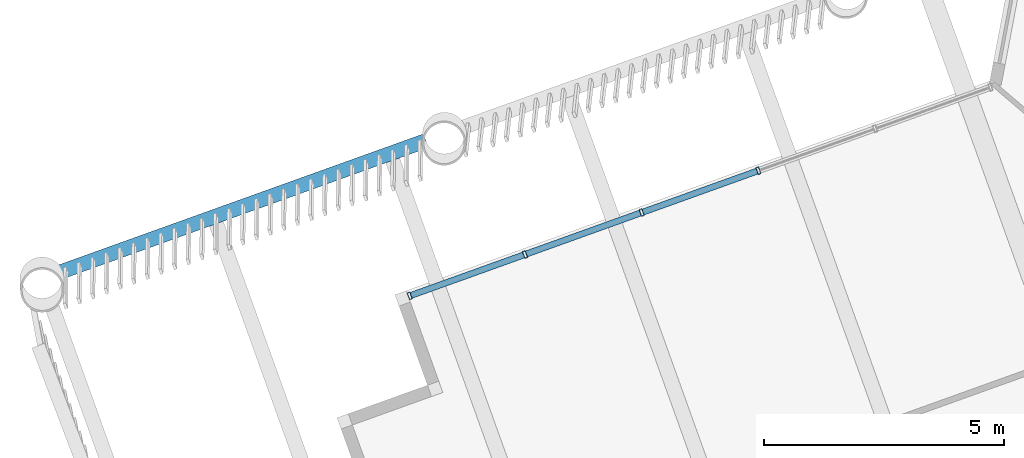
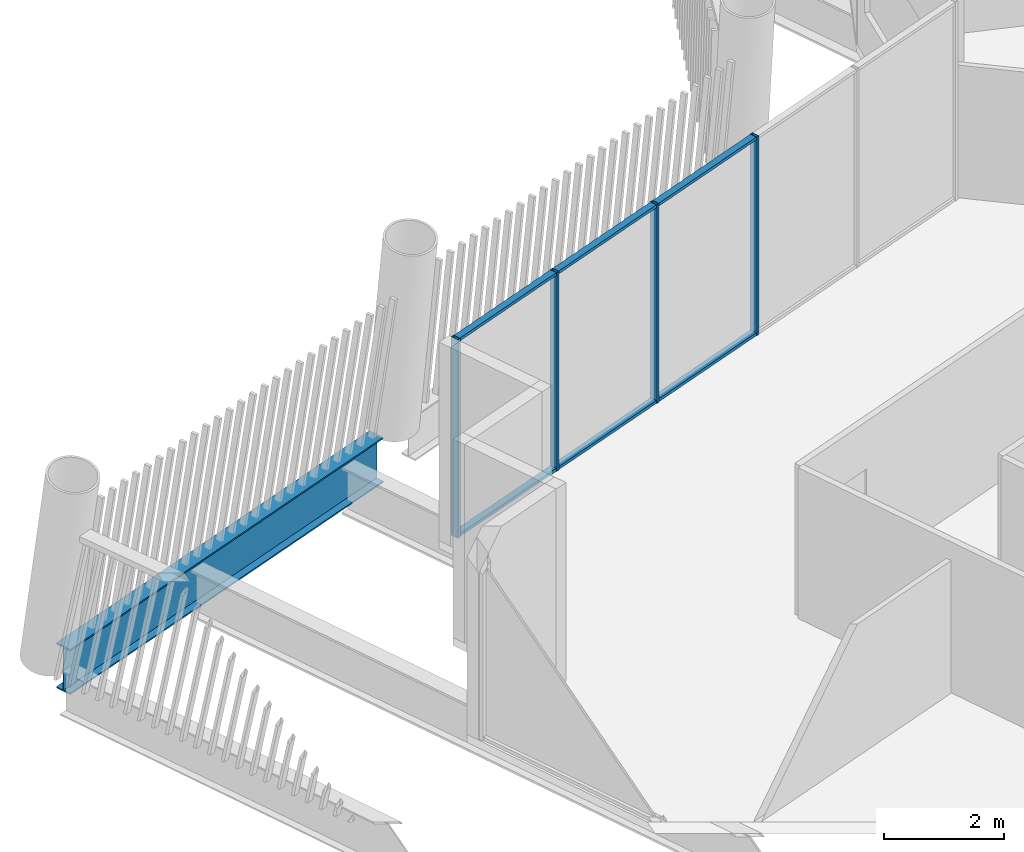
# One storey, part 10 of 28: 10 members, 1 beam, 1 element without a shape of its own.
"""IFC4 building model written with IfcOpenShell, lengths in metres."""

from ifc_helpers import new_model, si_unit, direction, frame, origin, origin_2d, place, context, subcontext, project, spatial, hollow_rectangle, i_section, extrude, material, layer, layer_set, material_profile, profile_set, type_object, element, aggregate, save


model = new_model("IFC4")

# Units and contexts
model_context = context("Model", 3, precision=1e-05, world=origin(), true_north=direction((0.0, 1.0)))
body_context = subcontext(model_context, "Body", "Model", "MODEL_VIEW")
ifc_project = project(units=[si_unit("LENGTHUNIT", "METRE"), si_unit("AREAUNIT", "SQUARE_METRE"), si_unit("VOLUMEUNIT", "CUBIC_METRE"), si_unit("PLANEANGLEUNIT", "RADIAN"), si_unit("MASSUNIT", "GRAM", prefix="KILO")], contexts=[model_context])

# Site, building, storey
site_placement = place(None, origin())
site = spatial("IfcSite", under=ifc_project, at=site_placement, CompositionType="ELEMENT")
building_placement = place(site_placement, origin())
building = spatial("IfcBuilding", under=site, at=building_placement, Name="Tarsis Ring Headquarters", CompositionType="ELEMENT")
storey_placement = place(building_placement, frame((0.0, 0.0, 365.0)))
storey = spatial("IfcBuildingStorey", under=building, at=storey_placement, Name="L86", CompositionType="ELEMENT", Elevation=365.0)

# Curtain wall, members
ifc_material_1 = material(Name="Aluminium curtain wall", Category="aluminium")
ifc_layer = layer(ifc_material_1, 0.14990234375)
ifc_layer_set = layer_set([ifc_layer], Name="Curtain wall tower unit")
curtain_wall_type = type_object("IfcCurtainWallType", Name="Curtain wall tower unit", PredefinedType="NOTDEFINED", material=ifc_layer_set)
curtain_wall_placement = place(storey_placement, origin())
curtain_wall = element("IfcCurtainWall", 1, at=curtain_wall_placement, inside=storey, type_object=curtain_wall_type, Name="Curtain wall L86-31", PredefinedType="NOTDEFINED")
ifc_material_2 = material(Name="Aluminium mullion", Category="aluminium")
ifc_material_profile_1 = material_profile(ifc_material_2, hollow_rectangle(XDim=0.14990234375, YDim=0.06005859375, WallThickness=0.0048828125, at=origin_2d()), Name="RHS 150x60x5")
ifc_profile_set_1 = profile_set([ifc_material_profile_1], Name="Aluminium mullion")
member_type_1 = type_object("IfcMemberType", Name="Curtain wall mullion tower unit RHS 150x60x5", PredefinedType="MULLION", material=ifc_profile_set_1)
member_1_placement = place(storey_placement, frame((-30.374755859375, 1.706298828125, 0.0), z_axis=(0.0, 0.0, 1.0), x_axis=(0.338080946421, -0.941117035053, 0.0)))
member_1 = element("IfcMember", 2, at=member_1_placement, type_object=member_type_1, Name="CW-T mullion 3", PredefinedType="MULLION", context=body_context, shape_type="SweptSolid", body=[
    extrude(hollow_rectangle(XDim=0.14990234375, YDim=0.06005859375, WallThickness=0.0048828125, at=origin_2d()), origin(), (0.0, 0.0, 1.0), 4.0400390625),
])
member_2_placement = place(storey_placement, frame((-32.802978515625, 0.833984375, 0.0), z_axis=(0.0, 0.0, 1.0), x_axis=(0.338080946421, -0.941117035053, 0.0)))
member_2 = element("IfcMember", 3, at=member_2_placement, type_object=member_type_1, Name="CW-T mullion 4", PredefinedType="MULLION", context=body_context, shape_type="SweptSolid", body=[
    extrude(hollow_rectangle(XDim=0.14990234375, YDim=0.06005859375, WallThickness=0.0048828125, at=origin_2d()), origin(), (0.0, 0.0, 1.0), 4.0400390625),
])
member_3_placement = place(storey_placement, frame((-35.231201171875, -0.038330078125, 0.0), z_axis=(0.0, 0.0, 1.0), x_axis=(0.338080946421, -0.941117035053, 0.0)))
member_3 = element("IfcMember", 4, at=member_3_placement, type_object=member_type_1, Name="CW-T mullion 5", PredefinedType="MULLION", context=body_context, shape_type="SweptSolid", body=[
    extrude(hollow_rectangle(XDim=0.14990234375, YDim=0.06005859375, WallThickness=0.0048828125, at=origin_2d()), origin(), (0.0, 0.0, 1.0), 4.0400390625),
])
member_4_placement = place(storey_placement, frame((-37.63134765625, -0.900390625, 0.0), z_axis=(0.0, 0.0, 1.0), x_axis=(0.338080946421, -0.941117035053, 0.0)))
member_4 = element("IfcMember", 5, at=member_4_placement, type_object=member_type_1, Name="CW-T mullion 6", PredefinedType="MULLION", context=body_context, shape_type="SweptSolid", body=[
    extrude(hollow_rectangle(XDim=0.14990234375, YDim=0.06005859375, WallThickness=0.0048828125, at=origin_2d()), origin(), (0.0, 0.0, 1.0), 4.0400390625),
])
ifc_material_3 = material(Name="Aluminium transom", Category="aluminium")
ifc_material_profile_2 = material_profile(ifc_material_3, hollow_rectangle(XDim=0.1298828125, YDim=0.06005859375, WallThickness=0.0048828125, at=origin_2d()), Name="RHS 130x60x5")
ifc_profile_set_2 = profile_set([ifc_material_profile_2], Name="Aluminium transom")
member_type_2 = type_object("IfcMemberType", Name="Curtain wall transom tower unit RHS 130x60x5", PredefinedType="USERDEFINED", material=ifc_profile_set_2)
member_5_placement = place(storey_placement, frame((-30.40283203125, 1.6962890625, 0.030029296875), z_axis=(-0.94111565762, -0.338084780761, 0.0), x_axis=(0.338084780761, -0.94111565762, 0.0)))
member_5 = element("IfcMember", 6, at=member_5_placement, type_object=member_type_2, Name="CW-T transom 3.1", ObjectType="TRANSOM", PredefinedType="USERDEFINED", context=body_context, shape_type="SweptSolid", body=[
    extrude(hollow_rectangle(XDim=0.1298828125, YDim=0.06005859375, WallThickness=0.0048828125, at=origin_2d()), origin(), (0.0, 0.0, 1.0), 2.520263671875),
])
member_6_placement = place(storey_placement, frame((-30.40283203125, 1.6962890625, 4.010009765625), z_axis=(-0.94111565762, -0.338084780761, 0.0), x_axis=(0.338084780761, -0.94111565762, 0.0)))
member_6 = element("IfcMember", 7, at=member_6_placement, type_object=member_type_2, Name="CW-T transom 3.2", ObjectType="TRANSOM", PredefinedType="USERDEFINED", context=body_context, shape_type="SweptSolid", body=[
    extrude(hollow_rectangle(XDim=0.1298828125, YDim=0.06005859375, WallThickness=0.0048828125, at=origin_2d()), origin(), (0.0, 0.0, 1.0), 2.520263671875),
])
member_7_placement = place(storey_placement, frame((-32.831298828125, 0.823974609375, 0.030029296875), z_axis=(-0.94111565762, -0.338084780761, 0.0), x_axis=(0.338084780761, -0.94111565762, 0.0)))
member_7 = element("IfcMember", 8, at=member_7_placement, type_object=member_type_2, Name="CW-T transom 4.1", ObjectType="TRANSOM", PredefinedType="USERDEFINED", context=body_context, shape_type="SweptSolid", body=[
    extrude(hollow_rectangle(XDim=0.1298828125, YDim=0.06005859375, WallThickness=0.0048828125, at=origin_2d()), origin(), (0.0, 0.0, 1.0), 2.520263671875),
])
member_8_placement = place(storey_placement, frame((-32.831298828125, 0.823974609375, 4.010009765625), z_axis=(-0.94111565762, -0.338084780761, 0.0), x_axis=(0.338084780761, -0.94111565762, 0.0)))
member_8 = element("IfcMember", 9, at=member_8_placement, type_object=member_type_2, Name="CW-T transom 4.2", ObjectType="TRANSOM", PredefinedType="USERDEFINED", context=body_context, shape_type="SweptSolid", body=[
    extrude(hollow_rectangle(XDim=0.1298828125, YDim=0.06005859375, WallThickness=0.0048828125, at=origin_2d()), origin(), (0.0, 0.0, 1.0), 2.520263671875),
])
member_9_placement = place(storey_placement, frame((-35.259521484375, -0.04833984375, 0.030029296875), z_axis=(-0.941105912904, -0.338111905584, 0.0), x_axis=(0.338111905584, -0.941105912904, 0.0)))
member_9 = element("IfcMember", 10, at=member_9_placement, type_object=member_type_2, Name="CW-T transom 5.1", ObjectType="TRANSOM", PredefinedType="USERDEFINED", context=body_context, shape_type="SweptSolid", body=[
    extrude(hollow_rectangle(XDim=0.1298828125, YDim=0.06005859375, WallThickness=0.0048828125, at=origin_2d()), origin(), (0.0, 0.0, 1.0), 2.490478515625),
])
member_10_placement = place(storey_placement, frame((-35.259521484375, -0.04833984375, 4.010009765625), z_axis=(-0.941105912904, -0.338111905584, 0.0), x_axis=(0.338111905584, -0.941105912904, 0.0)))
member_10 = element("IfcMember", 11, at=member_10_placement, type_object=member_type_2, Name="CW-T transom 5.2", ObjectType="TRANSOM", PredefinedType="USERDEFINED", context=body_context, shape_type="SweptSolid", body=[
    extrude(hollow_rectangle(XDim=0.1298828125, YDim=0.06005859375, WallThickness=0.0048828125, at=origin_2d()), origin(), (0.0, 0.0, 1.0), 2.490478515625),
])
aggregate(curtain_wall, [member_1, member_2, member_3, member_4, member_5, member_6, member_7, member_8, member_9, member_10])

# Beam
ifc_material_4 = material(Name="Structural steel S355", Category="steel")
ifc_material_profile_3 = material_profile(ifc_material_4, i_section(OverallWidth=0.3046875, OverallDepth=0.91943359375, WebThickness=0.017333984375, FlangeThickness=0.02783203125, at=origin_2d()), Name="W36x170")
ifc_profile_set_3 = profile_set([ifc_material_profile_3], Name="Structural steel S355")
beam_type = type_object("IfcBeamType", Name="XG Ring girder W36x170", PredefinedType="BEAM", material=ifc_profile_set_3)
beam_placement = place(storey_placement, frame((-37.292724609375, 2.329345703125, -0.459716796875), z_axis=(-0.94111678585, -0.338081640126, 0.0), x_axis=(0.338081640126, -0.94111678585, 0.0)))
element("IfcBeam", 12, at=beam_placement, inside=storey, type_object=beam_type, Name="Ring girder XG4", PredefinedType="BEAM", context=body_context, shape_type="SweptSolid", body=[
    extrude(i_section(OverallWidth=0.3046875, OverallDepth=0.91943359375, WebThickness=0.017333984375, FlangeThickness=0.02783203125, at=origin_2d()), origin(), (0.0, 0.0, 1.0), 8.079345703125),
])

save(model, "model.ifc")
